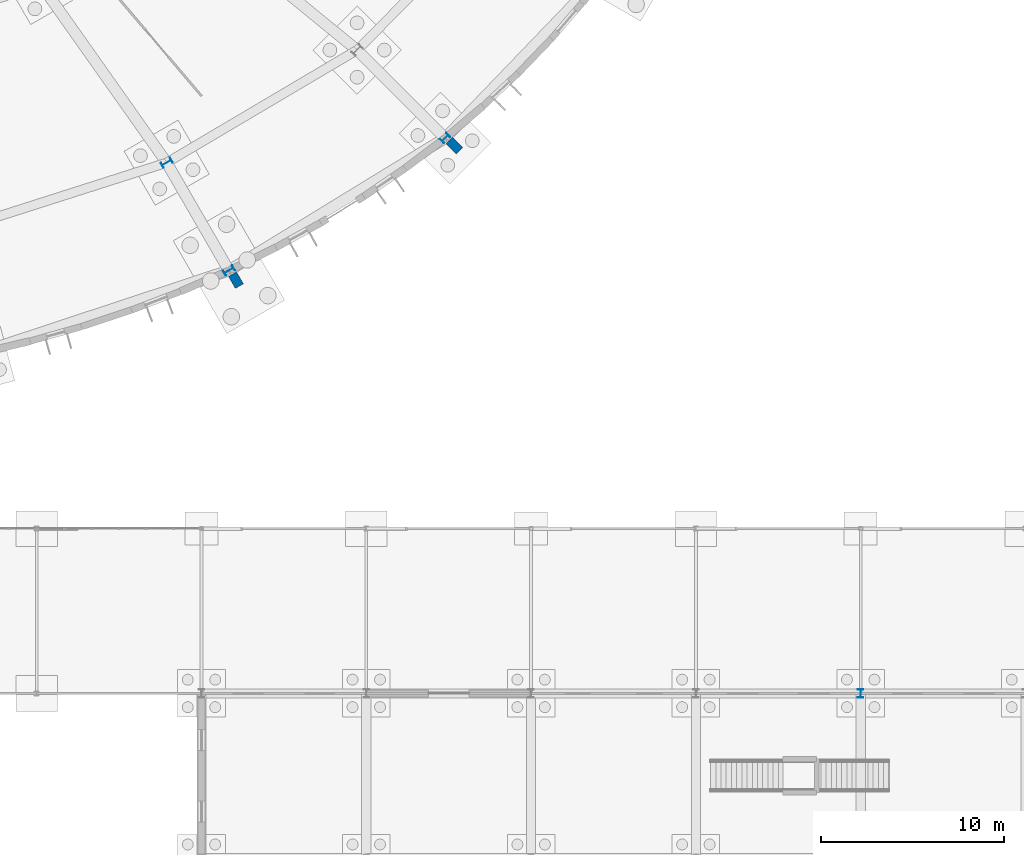
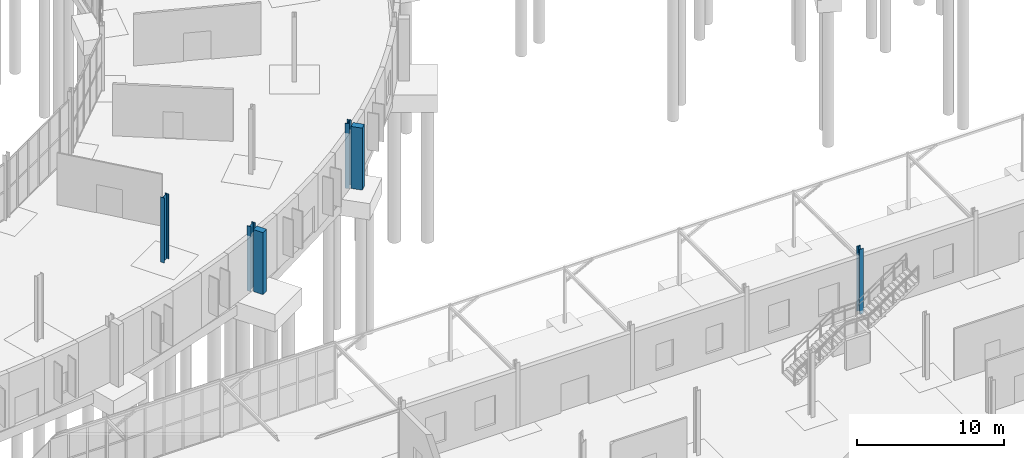
# One storey, part 34 of 118: 6 columns.
"""IFC4 building model written with IfcOpenShell, lengths in metres."""

from ifc_helpers import new_model, si_unit, direction, frame, origin, origin_2d, place, context, subcontext, project, spatial, rectangle, i_section, extrude, material, material_profile, profile_set, type_object, element, save


model = new_model("IFC4")

# Units and contexts
model_context = context("Model", 3, precision=1e-05, world=origin(), true_north=direction((0.0, 1.0)))
body_context = subcontext(model_context, "Body", "Model", "MODEL_VIEW")
ifc_project = project(units=[si_unit("LENGTHUNIT", "METRE"), si_unit("AREAUNIT", "SQUARE_METRE"), si_unit("VOLUMEUNIT", "CUBIC_METRE"), si_unit("PLANEANGLEUNIT", "RADIAN"), si_unit("MASSUNIT", "GRAM", prefix="KILO")], contexts=[model_context])

# Site, building, storey
site_placement = place(None, origin())
site = spatial("IfcSite", under=ifc_project, at=site_placement, CompositionType="ELEMENT")
building_placement = place(site_placement, origin())
building = spatial("IfcBuilding", under=site, at=building_placement, Name="Kildeholm Park Wholesale Market", CompositionType="ELEMENT")
storey_placement = place(building_placement, origin())
storey = spatial("IfcBuildingStorey", under=building, at=storey_placement, Name="L00", CompositionType="ELEMENT", Elevation=0.0)

# Columns
ifc_material_1 = material(Name="Steel S355", Category="steel")
ifc_material_profile_1 = material_profile(ifc_material_1, i_section(OverallWidth=0.300048828125, OverallDepth=0.449951171875, WebThickness=0.013916015625, FlangeThickness=0.02587890625, FilletRadius=0.027099609375, at=origin_2d()), Name="HEB 450")
ifc_profile_set_1 = profile_set([ifc_material_profile_1], Name="Steel S355")
column_type_1 = type_object("IfcColumnType", Name="Column C-S06 HEB 450", PredefinedType="COLUMN", material=ifc_profile_set_1)
column_1_placement = place(storey_placement, frame((162.0, 27.0, 0.0), z_axis=(0.0, 0.0, 1.0), x_axis=(1.0, 0.0, 0.0)))
element("IfcColumn", 1, at=column_1_placement, inside=storey, type_object=column_type_1, Name="Column V5E-162-027 L00 COL-0825", PredefinedType="COLUMN", context=body_context, shape_type="SweptSolid", body=[
    extrude(i_section(OverallWidth=0.300048828125, OverallDepth=0.449951171875, WebThickness=0.013916015625, FlangeThickness=0.02587890625, FilletRadius=0.027099609375, at=origin_2d()), origin(), (0.0, 0.0, 1.0), 5.39990234375),
])
ifc_material_profile_2 = material_profile(ifc_material_1, i_section(OverallWidth=0.300048828125, OverallDepth=0.5, WebThickness=0.014404296875, FlangeThickness=0.028076171875, FilletRadius=0.027099609375, at=origin_2d()), Name="HEB 500")
ifc_profile_set_2 = profile_set([ifc_material_profile_2], Name="Steel S355")
column_type_2 = type_object("IfcColumnType", Name="Column C-S07 HEB 500", PredefinedType="COLUMN", material=ifc_profile_set_2)
column_2_placement = place(storey_placement, frame((139.304931640625, 57.326904296875, 0.0), z_axis=(0.0, 0.0, 1.0), x_axis=(0.707106781187, -0.707106781187, 0.0)))
element("IfcColumn", 2, at=column_2_placement, inside=storey, type_object=column_type_2, Name="Column V1-OT-21 L00 COL-0196", PredefinedType="COLUMN", context=body_context, shape_type="SweptSolid", body=[
    extrude(i_section(OverallWidth=0.300048828125, OverallDepth=0.5, WebThickness=0.014404296875, FlangeThickness=0.028076171875, FilletRadius=0.027099609375, at=origin_2d()), origin(), (0.0, 0.0, 1.0), 5.39990234375),
])
ifc_material_profile_3 = material_profile(ifc_material_1, i_section(OverallWidth=0.300048828125, OverallDepth=0.60009765625, WebThickness=0.015380859375, FlangeThickness=0.030029296875, FilletRadius=0.027099609375, at=origin_2d()), Name="HEB 600")
ifc_profile_set_3 = profile_set([ifc_material_profile_3], Name="Steel S355")
column_type_3 = type_object("IfcColumnType", Name="Column C-S08 HEB 600", PredefinedType="COLUMN", material=ifc_profile_set_3)
for number, where, z_axis, x_axis, name in (
    (3, (124.10009765625, 55.985107421875, 0.0), (0.0, 0.0, 1.0), (0.5, -0.866025403784, 0.0), "Column V1-MD-20 L00 COL-0184"),
    (4, (127.5, 50.095947265625, 0.0), (0.0, 0.0, 1.0), (0.5, -0.866025403784, 0.0), "Column V1-OT-20 L00 COL-0187"),
):
    element("IfcColumn", number, at=place(storey_placement, frame(where, z_axis=z_axis, x_axis=x_axis)), inside=storey, type_object=column_type_3, Name=name, PredefinedType="COLUMN", context=body_context, shape_type="SweptSolid", body=[
        extrude(i_section(OverallWidth=0.300048828125, OverallDepth=0.60009765625, WebThickness=0.015380859375, FlangeThickness=0.030029296875, FilletRadius=0.027099609375, at=origin_2d()), origin(), (0.0, 0.0, 1.0), 5.39990234375),
    ])
ifc_material_2 = material(Name="Precast concrete C40/50", Category="concrete")
ifc_material_profile_4 = material_profile(ifc_material_2, rectangle(XDim=0.800048828125, YDim=0.5, at=origin_2d()), Name="PIL 800x500")
ifc_profile_set_4 = profile_set([ifc_material_profile_4], Name="Precast concrete C40/50")
column_type_4 = type_object("IfcColumnType", Name="Column PL-M01 PIL 800x500", PredefinedType="PILASTER", material=ifc_profile_set_4)
column_3_placement = place(storey_placement, frame((139.81298828125, 56.9208984375, 0.0), z_axis=(0.0, 0.0, 1.0), x_axis=(0.707106781187, -0.707106781187, 0.0)))
element("IfcColumn", 5, at=column_3_placement, inside=storey, type_object=column_type_4, Name="Market ring pilaster 22 COL-0198", PredefinedType="PILASTER", context=body_context, shape_type="SweptSolid", body=[
    extrude(rectangle(XDim=0.800048828125, YDim=0.5, at=origin_2d()), origin(), (0.0, 0.0, 1.0), 5.14990234375),
])
ifc_material_profile_5 = material_profile(ifc_material_2, rectangle(XDim=0.75, YDim=0.5, at=origin_2d()), Name="PIL 750x500")
ifc_profile_set_5 = profile_set([ifc_material_profile_5], Name="Precast concrete C40/50")
column_type_5 = type_object("IfcColumnType", Name="Column PL-M02 PIL 750x500", PredefinedType="PILASTER", material=ifc_profile_set_5)
column_4_placement = place(storey_placement, frame((127.881103515625, 49.569091796875, 0.0), z_axis=(0.0, 0.0, 1.0), x_axis=(0.5, -0.866025403784, 0.0)))
element("IfcColumn", 6, at=column_4_placement, inside=storey, type_object=column_type_5, Name="Market ring pilaster 21 COL-0189", PredefinedType="PILASTER", context=body_context, shape_type="SweptSolid", body=[
    extrude(rectangle(XDim=0.75, YDim=0.5, at=origin_2d()), origin(), (0.0, 0.0, 1.0), 5.14990234375),
])

save(model, "model.ifc")
